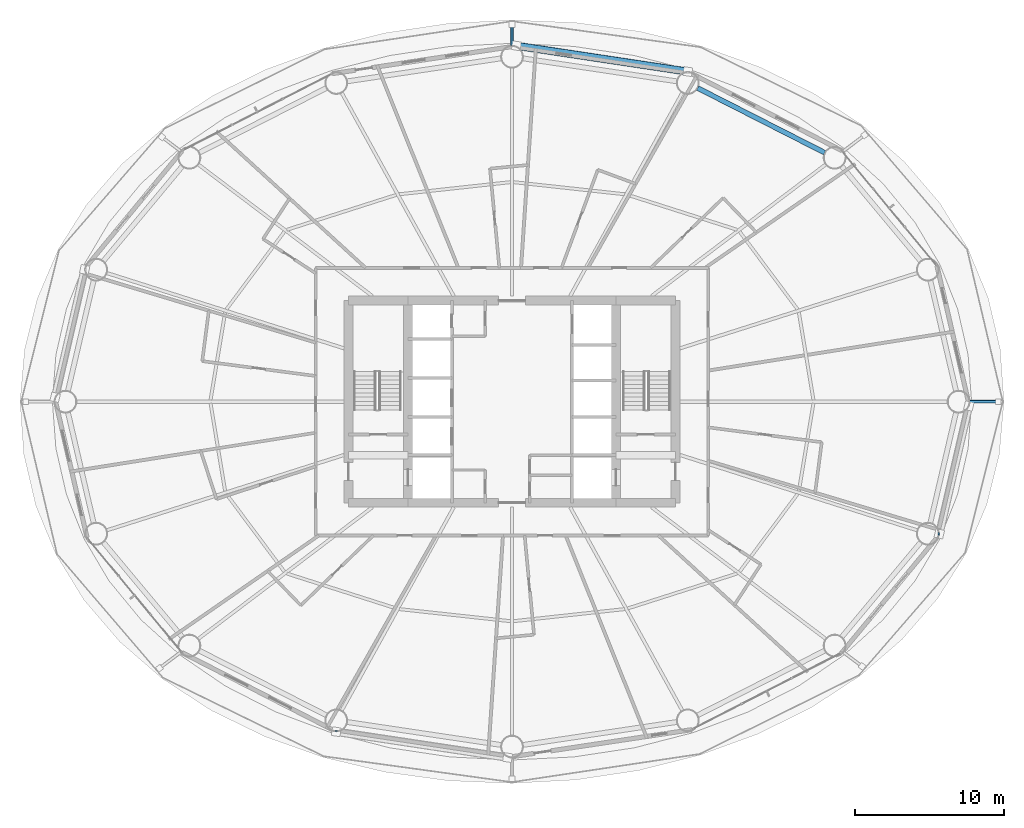
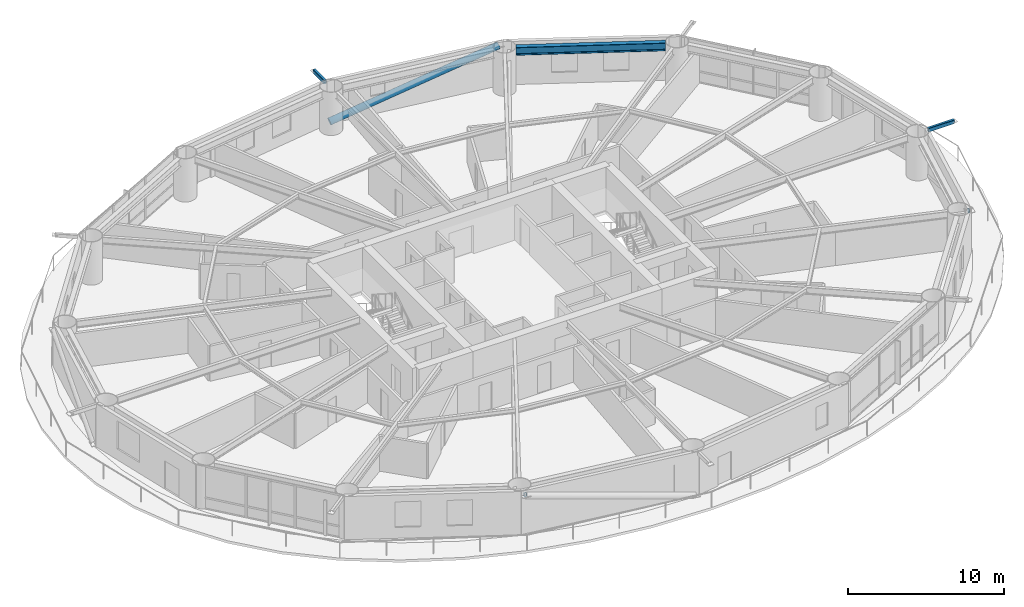
# One storey, part 15 of 26: 5 members, 1 beam.
"""IFC4 building model written with IfcOpenShell, lengths in metres."""

from ifc_helpers import new_model, si_unit, direction, frame, origin, origin_2d, place, context, subcontext, project, spatial, hollow_rectangle, hollow_circle, i_section, extrude, material, material_profile, profile_set, type_object, element, save


model = new_model("IFC4")

# Units and contexts
model_context = context("Model", 3, precision=1e-05, world=origin(), true_north=direction((0.0, 1.0)))
body_context = subcontext(model_context, "Body", "Model", "MODEL_VIEW")
ifc_project = project(units=[si_unit("LENGTHUNIT", "METRE"), si_unit("AREAUNIT", "SQUARE_METRE"), si_unit("VOLUMEUNIT", "CUBIC_METRE"), si_unit("PLANEANGLEUNIT", "RADIAN"), si_unit("MASSUNIT", "GRAM", prefix="KILO")], contexts=[model_context])

# Site, building, storey
site_placement = place(None, origin())
site = spatial("IfcSite", under=ifc_project, at=site_placement, CompositionType="ELEMENT")
building_placement = place(site_placement, origin())
building = spatial("IfcBuilding", under=site, at=building_placement, Name="Sarneth Arch Tower", CompositionType="ELEMENT")
storey_placement = place(building_placement, frame((0.0, 0.0, 64.199951171875)))
storey = spatial("IfcBuildingStorey", under=building, at=storey_placement, Name="L15", CompositionType="ELEMENT", Elevation=64.199951171875)

# Beam
ifc_material_1 = material(Name="Steel S355", Category="steel")
ifc_material_profile_1 = material_profile(ifc_material_1, i_section(OverallWidth=0.326904296875, OverallDepth=0.6220703125, WebThickness=0.015380859375, FlangeThickness=0.0244140625, FilletRadius=0.01904296875, at=origin_2d()), Name="W610x195")
ifc_profile_set_1 = profile_set([ifc_material_profile_1], Name="Steel S355")
beam_type = type_object("IfcBeamType", Name="BM-SPAN-610A", PredefinedType="SPANDREL", material=ifc_profile_set_1)
beam_placement = place(storey_placement, frame((69.0283203125, 58.7451171875, 3.069091796875), z_axis=(-0.891169106887, 0.453671271882, 0.0), x_axis=(-0.453671271882, -0.891169106887, 0.0)))
element("IfcBeam", 1, at=beam_placement, inside=storey, type_object=beam_type, Name="L15 Perimeter spandrel beam 03", PredefinedType="SPANDREL", context=body_context, shape_type="SweptSolid", body=[
    extrude(i_section(OverallWidth=0.326904296875, OverallDepth=0.6220703125, WebThickness=0.015380859375, FlangeThickness=0.0244140625, FilletRadius=0.01904296875, at=origin_2d()), origin(), (0.0, 0.0, 1.0), 9.58544921875),
])

# Members
ifc_material_2 = material(Name="Steel S355", Category="steel")
ifc_material_profile_2 = material_profile(ifc_material_2, hollow_rectangle(XDim=0.199951171875, YDim=0.300048828125, WallThickness=0.012451171875, InnerFilletRadius=0.018798828125, OuterFilletRadius=0.03125, at=origin_2d()), Name="RHS300x200x12.5")
ifc_profile_set_2 = profile_set([ifc_material_profile_2], Name="Steel S355")
member_type_1 = type_object("IfcMemberType", Name="MEM-CANT-STRUT", PredefinedType="STRUT", material=ifc_profile_set_2)
member_1_placement = place(storey_placement, frame((78.784912109375, 42.0, 3.219970703125), z_axis=(1.0, 0.0, 0.0), x_axis=(0.0, 1.0, 0.0)))
element("IfcMember", 2, at=member_1_placement, inside=storey, type_object=member_type_1, Name="L15 Balcony cantilever bracket 01", PredefinedType="STRUT", context=body_context, shape_type="SweptSolid", body=[
    extrude(hollow_rectangle(XDim=0.199951171875, YDim=0.300048828125, WallThickness=0.012451171875, InnerFilletRadius=0.018798828125, OuterFilletRadius=0.03125, at=origin_2d()), origin(), (0.0, 0.0, 1.0), 1.929931640625),
])
member_2_placement = place(storey_placement, frame((48.0, 65.949951171875, 3.219970703125), z_axis=(0.0, 1.0, 0.0), x_axis=(-1.0, 0.0, 0.0)))
element("IfcMember", 3, at=member_2_placement, inside=storey, type_object=member_type_1, Name="L15 Balcony cantilever bracket 05", PredefinedType="STRUT", context=body_context, shape_type="SweptSolid", body=[
    extrude(hollow_rectangle(XDim=0.199951171875, YDim=0.300048828125, WallThickness=0.012451171875, InnerFilletRadius=0.018798828125, OuterFilletRadius=0.03125, at=origin_2d()), origin(), (0.0, 0.0, 1.0), 1.420166015625),
])
member_3_placement = place(storey_placement, frame((36.1806640625, 19.890869140625, 3.0068359375), z_axis=(-0.002710017149, -0.999996327897, 0.0), x_axis=(0.999996327897, -0.002710017149, 0.0)))
element("IfcMember", 4, at=member_3_placement, inside=storey, type_object=member_type_1, Name="L15 Exoskeleton brace node strut 12B", PredefinedType="STRUT", context=body_context, shape_type="SweptSolid", body=[
    extrude(hollow_rectangle(XDim=0.199951171875, YDim=0.300048828125, WallThickness=0.012451171875, InnerFilletRadius=0.018798828125, OuterFilletRadius=0.03125, at=origin_2d()), origin(), (0.0, 0.0, 1.0), 0.090087890625),
])
member_4_placement = place(storey_placement, frame((76.640380859375, 33.1162109375, 3.0068359375), z_axis=(0.999972430314, -0.007425537849, 0.0), x_axis=(0.007425537849, 0.999972430314, 0.0)))
element("IfcMember", 5, at=member_4_placement, inside=storey, type_object=member_type_1, Name="L15 Exoskeleton brace node strut 16B", PredefinedType="STRUT", context=body_context, shape_type="SweptSolid", body=[
    extrude(hollow_rectangle(XDim=0.199951171875, YDim=0.300048828125, WallThickness=0.012451171875, InnerFilletRadius=0.018798828125, OuterFilletRadius=0.03125, at=origin_2d()), origin(), (0.0, 0.0, 1.0), 0.0986328125),
])
ifc_material_3 = material(Name="Steel S355", Category="steel")
ifc_material_profile_3 = material_profile(ifc_material_3, hollow_circle(Radius=0.25390625, WallThickness=0.01611328125, at=origin_2d()), Name="CHS508x16")
ifc_profile_set_3 = profile_set([ifc_material_profile_3], Name="Steel S355")
member_type_2 = type_object("IfcMemberType", Name="MEM-DIAG-BR1", PredefinedType="BRACE", material=ifc_profile_set_3)
member_5_placement = place(storey_placement, frame((48.296630859375, 65.935302734375, 0.02001953125), z_axis=(0.957875899759, -0.144316613483, 0.248287083301), x_axis=(0.1489817545, 0.988839944999, 0.0)))
element("IfcMember", 6, at=member_5_placement, inside=storey, type_object=member_type_2, Name="L15 Perimeter frame diagonal 04", PredefinedType="BRACE", context=body_context, shape_type="SweptSolid", body=[
    extrude(hollow_circle(Radius=0.25390625, WallThickness=0.01611328125, at=origin_2d()), origin(), (0.0, 0.0, 1.0), 12.02978515625),
])

save(model, "model.ifc")
